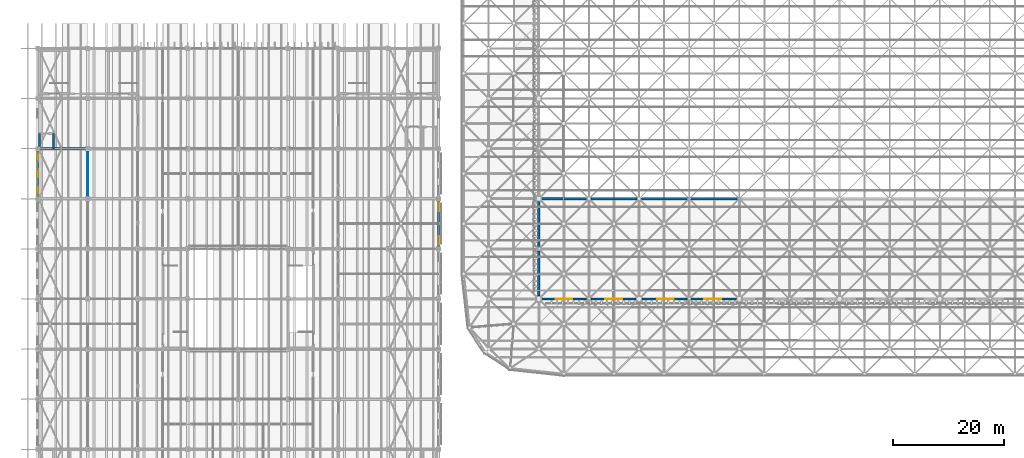
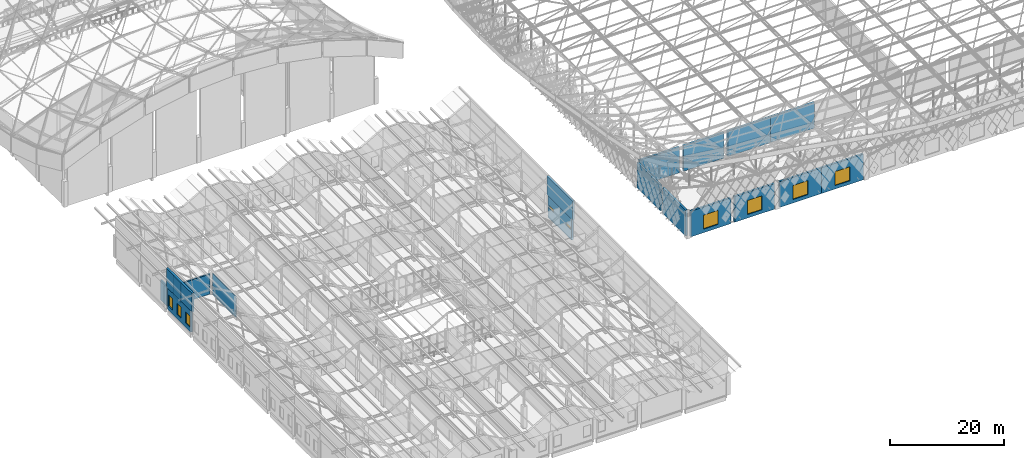
# One storey, part 267 of 437: 18 walls, 9 windows, 9 openings.
"""IFC4 building model written with IfcOpenShell, lengths in metres."""

from ifc_helpers import new_model, si_unit, direction, frame, frame_2d, origin, place, context, subcontext, project, spatial, rectangle, extrude, material, layer, layer_set, type_object, element, fill, save


model = new_model("IFC4")

# Units and contexts
model_context = context("Model", 3, precision=1e-05, world=origin(), true_north=direction((0.0, 1.0)))
body_context = subcontext(model_context, "Body", "Model", "MODEL_VIEW")
ifc_project = project(units=[si_unit("LENGTHUNIT", "METRE"), si_unit("AREAUNIT", "SQUARE_METRE"), si_unit("VOLUMEUNIT", "CUBIC_METRE"), si_unit("PLANEANGLEUNIT", "RADIAN"), si_unit("MASSUNIT", "GRAM", prefix="KILO")], contexts=[model_context])

# Site, building, storey
site_placement = place(None, origin())
site = spatial("IfcSite", under=ifc_project, at=site_placement, CompositionType="ELEMENT")
building_placement = place(site_placement, origin())
building = spatial("IfcBuilding", under=site, at=building_placement, Name="Opaline Strait Convention Centre", CompositionType="ELEMENT")
storey_placement = place(building_placement, frame((0.0, 0.0, 11.5)))
storey = spatial("IfcBuildingStorey", under=building, at=storey_placement, Name="L02", CompositionType="ELEMENT", Elevation=11.5)

# Wall, opening, window
ifc_material_1 = material(Name="Concrete C40", Category="concrete")
ifc_layer_1 = layer(ifc_material_1, 0.25)
ifc_material_2 = material(Name="Mineral wool insulation")
ifc_layer_2 = layer(ifc_material_2, 0.10009765625)
ifc_material_3 = material(Name="Gypsum board lining")
ifc_layer_3 = layer(ifc_material_3, 0.050048828125)
ifc_layer_set_1 = layer_set([ifc_layer_1, ifc_layer_2, ifc_layer_3], Name="Concrete C40, Mineral wool insulation, Gypsum board lining")
wall_type_1 = type_object("IfcWallType", Name="External wall RC 400 insulated", PredefinedType="SOLIDWALL", material=ifc_layer_set_1)
wall_1_placement = place(storey_placement, frame((99.5, 54.0, 0.0), z_axis=(0.0, 0.0, 1.0), x_axis=(1.0, 0.0, 0.0)))
wall_1 = element("IfcWall", 1, at=wall_1_placement, inside=storey, type_object=wall_type_1, Name="External wall S1", PredefinedType="SOLIDWALL", context=body_context, shape_type="SweptSolid", body=[
    extrude(rectangle(XDim=8.10009765625, YDim=0.39990234375, at=frame_2d((4.050048828125, 0.0))), origin(), (0.0, 0.0, 1.0), 5.5),
])
opening_1_placement = place(wall_1_placement, frame((2.550048828125, 0.0, 0.75)))
opening_1 = element("IfcOpeningElement", 2, at=opening_1_placement, cuts=wall_1, Name="Opening XWN3", PredefinedType="OPENING", context=body_context, shape_type="SweptSolid", body=[
    extrude(rectangle(XDim=3.0, YDim=3.0, at=frame_2d((1.5, 1.5))), frame((0.0, 0.2099609375, 0.0), z_axis=(0.0, -1.0, 0.0), x_axis=(1.0, 0.0, 0.0)), (0.0, 0.0, 1.0), 0.419921875),
])
ifc_material_4 = material(Name="Aluminium louvre", Category="aluminium")
window_type_1 = type_object("IfcWindowType", Name="Plant louvre 3000 x 3000", PartitioningType="TRIPLE_PANEL_VERTICAL", PredefinedType="WINDOW", material=ifc_material_4)
window_1_placement = place(opening_1_placement, origin())
window_1 = element("IfcWindow", 3, at=window_1_placement, inside=storey, type_object=window_type_1, Name="Plant louvre 1", OverallHeight=3.0, OverallWidth=3.0, PartitioningType="TRIPLE_PANEL_VERTICAL", PredefinedType="WINDOW", context=body_context, shape_type="SweptSolid", body=[
    extrude(rectangle(XDim=3.0, YDim=3.0, at=frame_2d((1.5, 1.5))), frame((0.0, 0.030029296875, 0.0), z_axis=(0.0, -1.0, 0.0), x_axis=(1.0, 0.0, 0.0)), (0.0, 0.0, 1.0), 0.06005859375),
])
fill(opening_1, window_1)

wall_2_placement = place(storey_placement, frame((108.39990234375, 54.0, 0.0), z_axis=(0.0, 0.0, 1.0), x_axis=(1.0, 0.0, 0.0)))
wall_2 = element("IfcWall", 4, at=wall_2_placement, inside=storey, type_object=wall_type_1, Name="External wall S2", PredefinedType="SOLIDWALL", context=body_context, shape_type="SweptSolid", body=[
    extrude(rectangle(XDim=8.10009765625, YDim=0.39990234375, at=frame_2d((4.050048828125, 0.0))), origin(), (0.0, 0.0, 1.0), 5.5),
])
opening_2_placement = place(wall_2_placement, frame((2.550048828125, 0.0, 0.75)))
opening_2 = element("IfcOpeningElement", 5, at=opening_2_placement, cuts=wall_2, Name="Opening XWN3", PredefinedType="OPENING", context=body_context, shape_type="SweptSolid", body=[
    extrude(rectangle(XDim=3.0, YDim=3.0, at=frame_2d((1.5, 1.5))), frame((0.0, 0.2099609375, 0.0), z_axis=(0.0, -1.0, 0.0), x_axis=(1.0, 0.0, 0.0)), (0.0, 0.0, 1.0), 0.419921875),
])
window_2_placement = place(opening_2_placement, origin())
window_2 = element("IfcWindow", 6, at=window_2_placement, inside=storey, type_object=window_type_1, Name="Plant louvre 2", OverallHeight=3.0, OverallWidth=3.0, PartitioningType="TRIPLE_PANEL_VERTICAL", PredefinedType="WINDOW", context=body_context, shape_type="SweptSolid", body=[
    extrude(rectangle(XDim=3.0, YDim=3.0, at=frame_2d((1.5, 1.5))), frame((0.0, 0.030029296875, 0.0), z_axis=(0.0, -1.0, 0.0), x_axis=(1.0, 0.0, 0.0)), (0.0, 0.0, 1.0), 0.06005859375),
])
fill(opening_2, window_2)

wall_3_placement = place(storey_placement, frame((117.5, 54.0, 0.0), z_axis=(0.0, 0.0, 1.0), x_axis=(1.0, 0.0, 0.0)))
wall_3 = element("IfcWall", 7, at=wall_3_placement, inside=storey, type_object=wall_type_1, Name="External wall S3", PredefinedType="SOLIDWALL", context=body_context, shape_type="SweptSolid", body=[
    extrude(rectangle(XDim=8.5, YDim=0.39990234375, at=frame_2d((4.25, 0.0))), origin(), (0.0, 0.0, 1.0), 5.5),
])
opening_3_placement = place(wall_3_placement, frame((2.75, 0.0, 0.75)))
opening_3 = element("IfcOpeningElement", 8, at=opening_3_placement, cuts=wall_3, Name="Opening XWN3", PredefinedType="OPENING", context=body_context, shape_type="SweptSolid", body=[
    extrude(rectangle(XDim=3.0, YDim=3.0, at=frame_2d((1.5, 1.5))), frame((0.0, 0.2099609375, 0.0), z_axis=(0.0, -1.0, 0.0), x_axis=(1.0, 0.0, 0.0)), (0.0, 0.0, 1.0), 0.419921875),
])
window_3_placement = place(opening_3_placement, origin())
window_3 = element("IfcWindow", 9, at=window_3_placement, inside=storey, type_object=window_type_1, Name="Plant louvre 3", OverallHeight=3.0, OverallWidth=3.0, PartitioningType="TRIPLE_PANEL_VERTICAL", PredefinedType="WINDOW", context=body_context, shape_type="SweptSolid", body=[
    extrude(rectangle(XDim=3.0, YDim=3.0, at=frame_2d((1.5, 1.5))), frame((0.0, 0.030029296875, 0.0), z_axis=(0.0, -1.0, 0.0), x_axis=(1.0, 0.0, 0.0)), (0.0, 0.0, 1.0), 0.06005859375),
])
fill(opening_3, window_3)

wall_4_placement = place(storey_placement, frame((126.0, 54.0, 0.0), z_axis=(0.0, 0.0, 1.0), x_axis=(1.0, 0.0, 0.0)))
wall_4 = element("IfcWall", 10, at=wall_4_placement, inside=storey, type_object=wall_type_1, Name="External wall S4", PredefinedType="SOLIDWALL", context=body_context, shape_type="SweptSolid", body=[
    extrude(rectangle(XDim=8.5, YDim=0.39990234375, at=frame_2d((4.25, 0.0))), origin(), (0.0, 0.0, 1.0), 5.5),
])
opening_4_placement = place(wall_4_placement, frame((2.75, 0.0, 0.75)))
opening_4 = element("IfcOpeningElement", 11, at=opening_4_placement, cuts=wall_4, Name="Opening XWN3", PredefinedType="OPENING", context=body_context, shape_type="SweptSolid", body=[
    extrude(rectangle(XDim=3.0, YDim=3.0, at=frame_2d((1.5, 1.5))), frame((0.0, 0.2099609375, 0.0), z_axis=(0.0, -1.0, 0.0), x_axis=(1.0, 0.0, 0.0)), (0.0, 0.0, 1.0), 0.419921875),
])
window_4_placement = place(opening_4_placement, origin())
window_4 = element("IfcWindow", 12, at=window_4_placement, inside=storey, type_object=window_type_1, Name="Plant louvre 4", OverallHeight=3.0, OverallWidth=3.0, PartitioningType="TRIPLE_PANEL_VERTICAL", PredefinedType="WINDOW", context=body_context, shape_type="SweptSolid", body=[
    extrude(rectangle(XDim=3.0, YDim=3.0, at=frame_2d((1.5, 1.5))), frame((0.0, 0.030029296875, 0.0), z_axis=(0.0, -1.0, 0.0), x_axis=(1.0, 0.0, 0.0)), (0.0, 0.0, 1.0), 0.06005859375),
])
fill(opening_4, window_4)

# Walls
wall_5_placement = place(storey_placement, frame((99.0, 54.5, 0.0), z_axis=(0.0, 0.0, 1.0), x_axis=(0.0, 1.0, 0.0)))
element("IfcWall", 13, at=wall_5_placement, inside=storey, type_object=wall_type_1, Name="External wall W1", PredefinedType="SOLIDWALL", context=body_context, shape_type="SweptSolid", body=[
    extrude(rectangle(XDim=8.10009765625, YDim=0.39990234375, at=frame_2d((4.050048828125, 0.0))), origin(), (0.0, 0.0, 1.0), 5.5),
])
ifc_layer_4 = layer(ifc_material_1, 0.300048828125)
ifc_layer_5 = layer(ifc_material_2, 0.050048828125)
ifc_layer_6 = layer(ifc_material_3, 0.050048828125)
ifc_layer_set_2 = layer_set([ifc_layer_4, ifc_layer_5, ifc_layer_6], Name="Concrete C40, Mineral wool insulation, Gypsum board lining")
wall_type_2 = type_object("IfcWallType", Name="External wall RC 400 stair core", PredefinedType="SOLIDWALL", material=ifc_layer_set_2)
wall_6_placement = place(storey_placement, frame((99.0, 63.39990234375, 0.0), z_axis=(0.0, 0.0, 1.0), x_axis=(0.0, 1.0, 0.0)))
element("IfcWall", 14, at=wall_6_placement, inside=storey, type_object=wall_type_2, Name="External wall W2", PredefinedType="SOLIDWALL", context=body_context, shape_type="SweptSolid", body=[
    extrude(rectangle(XDim=8.10009765625, YDim=0.39990234375, at=frame_2d((4.050048828125, 0.0))), origin(), (0.0, 0.0, 1.0), 5.5),
])
ifc_layer_7 = layer(ifc_material_1, 0.300048828125)
ifc_material_5 = material(Name="Cement plaster")
ifc_layer_8 = layer(ifc_material_5, 0.050048828125)
ifc_layer_9 = layer(ifc_material_5, 0.050048828125)
ifc_layer_set_3 = layer_set([ifc_layer_7, ifc_layer_8, ifc_layer_9], Name="Concrete C40, Cement plaster, Cement plaster")
wall_type_3 = type_object("IfcWallType", Name="Hall compartment wall 400", PredefinedType="SOLIDWALL", material=ifc_layer_set_3)
wall_7_placement = place(storey_placement, frame((99.5, 72.0, 0.0), z_axis=(0.0, 0.0, 1.0), x_axis=(1.0, 0.0, 0.0)))
element("IfcWall", 15, at=wall_7_placement, inside=storey, type_object=wall_type_3, Name="Hall south wall", PredefinedType="SOLIDWALL", context=body_context, shape_type="SweptSolid", body=[
    extrude(rectangle(XDim=8.10009765625, YDim=0.39990234375, at=frame_2d((4.050048828125, 0.0))), origin(), (0.0, 0.0, 1.0), 5.5),
])
wall_8_placement = place(storey_placement, frame((108.39990234375, 72.0, 0.0), z_axis=(0.0, 0.0, 1.0), x_axis=(1.0, 0.0, 0.0)))
element("IfcWall", 16, at=wall_8_placement, inside=storey, type_object=wall_type_3, Name="Hall south wall", PredefinedType="SOLIDWALL", context=body_context, shape_type="SweptSolid", body=[
    extrude(rectangle(XDim=8.2001953125, YDim=0.39990234375, at=frame_2d((4.10009765625, 0.0))), origin(), (0.0, 0.0, 1.0), 5.5),
])
wall_9_placement = place(storey_placement, frame((117.39990234375, 72.0, 0.0), z_axis=(0.0, 0.0, 1.0), x_axis=(1.0, 0.0, 0.0)))
element("IfcWall", 17, at=wall_9_placement, inside=storey, type_object=wall_type_3, Name="Hall south wall", PredefinedType="SOLIDWALL", context=body_context, shape_type="SweptSolid", body=[
    extrude(rectangle(XDim=8.60009765625, YDim=0.39990234375, at=frame_2d((4.300048828125, 0.0))), origin(), (0.0, 0.0, 1.0), 5.5),
])
wall_10_placement = place(storey_placement, frame((126.0, 72.0, 0.0), z_axis=(0.0, 0.0, 1.0), x_axis=(1.0, 0.0, 0.0)))
element("IfcWall", 18, at=wall_10_placement, inside=storey, type_object=wall_type_3, Name="Hall south wall", PredefinedType="SOLIDWALL", context=body_context, shape_type="SweptSolid", body=[
    extrude(rectangle(XDim=9.0, YDim=0.39990234375, at=frame_2d((4.5, 0.0))), origin(), (0.0, 0.0, 1.0), 5.5),
])
ifc_material_6 = material(Name="Gypsum board on metal studs with mineral wool")
ifc_layer_10 = layer(ifc_material_6, 0.14990234375)
ifc_layer_set_4 = layer_set([ifc_layer_10], Name="Gypsum board on metal studs with mineral wool")
wall_type_4 = type_object("IfcWallType", Name="Partition 150", PredefinedType="PARTITIONING", material=ifc_layer_set_4)
wall_11_placement = place(storey_placement, frame((18.0, 72.39990234375, 0.0), z_axis=(0.0, 0.0, 1.0), x_axis=(0.0, 1.0, 0.0)))
element("IfcWall", 19, at=wall_11_placement, inside=storey, type_object=wall_type_4, Name="L02 partition", PredefinedType="PARTITIONING", context=body_context, shape_type="SweptSolid", body=[
    extrude(rectangle(XDim=8.2001953125, YDim=0.14990234375, at=frame_2d((4.10009765625, 0.0))), origin(), (0.0, 0.0, 1.0), 4.550048828125),
])
ifc_layer_11 = layer(ifc_material_1, 0.300048828125)
ifc_layer_set_5 = layer_set([ifc_layer_11], Name="Concrete C40")
wall_type_5 = type_object("IfcWallType", Name="RC wall 300 C40", PredefinedType="SOLIDWALL", material=ifc_layer_set_5)
wall_12_placement = place(storey_placement, frame((9.39990234375, 81.0, 0.0), z_axis=(0.0, 0.0, 1.0), x_axis=(1.0, 0.0, 0.0)))
element("IfcWall", 20, at=wall_12_placement, inside=storey, type_object=wall_type_5, Name="NW core BND-N wall", PredefinedType="SOLIDWALL", context=body_context, shape_type="SweptSolid", body=[
    extrude(rectangle(XDim=8.2001953125, YDim=0.300048828125, at=frame_2d((4.10009765625, 0.0))), origin(), (0.0, 0.0, 1.0), 4.300048828125),
])
wall_13_placement = place(storey_placement, frame((11.85009765625, 83.699951171875, 0.0), z_axis=(0.0, 0.0, 1.0), x_axis=(0.0, -1.0, 0.0)))
element("IfcWall", 21, at=wall_13_placement, inside=storey, type_object=wall_type_5, Name="NW core LIFT-M wall", PredefinedType="SOLIDWALL", context=body_context, shape_type="SweptSolid", body=[
    extrude(rectangle(XDim=2.699951171875, YDim=0.300048828125, at=frame_2d((1.35009765625, 0.0))), origin(), (0.0, 0.0, 1.0), 4.300048828125),
])
wall_14_placement = place(storey_placement, frame((9.35009765625, 83.699951171875, 0.0), z_axis=(0.0, 0.0, 1.0), x_axis=(0.0, -1.0, 0.0)))
element("IfcWall", 22, at=wall_14_placement, inside=storey, type_object=wall_type_5, Name="NW core LIFT-W wall", PredefinedType="SOLIDWALL", context=body_context, shape_type="SweptSolid", body=[
    extrude(rectangle(XDim=2.300048828125, YDim=0.300048828125, at=frame_2d((1.14990234375, 0.0))), origin(), (0.0, 0.0, 1.0), 4.300048828125),
])
ifc_layer_12 = layer(ifc_material_1, 0.320068359375)
ifc_layer_13 = layer(ifc_material_2, 0.050048828125)
ifc_layer_14 = layer(ifc_material_3, 0.030029296875)
ifc_layer_set_6 = layer_set([ifc_layer_12, ifc_layer_13, ifc_layer_14], Name="Concrete C40, Mineral wool insulation, Gypsum board lining")
wall_type_6 = type_object("IfcWallType", Name="RC wall 400 C40", PredefinedType="SOLIDWALL", material=ifc_layer_set_6)
wall_15_placement = place(storey_placement, frame((9.0, 72.0, 4.550048828125), z_axis=(0.0, 0.0, 1.0), x_axis=(0.0, 1.0, 0.0)))
element("IfcWall", 23, at=wall_15_placement, inside=storey, type_object=wall_type_6, Name="W roof infill wall 8", PredefinedType="SOLIDWALL", context=body_context, shape_type="SweptSolid", body=[
    extrude(rectangle(XDim=9.0, YDim=0.39990234375, at=frame_2d((4.5, 0.0))), origin(), (0.0, 0.0, 1.0), 4.050048828125),
])
wall_16_placement = place(storey_placement, frame((81.0, 63.0, 4.550048828125), z_axis=(0.0, 0.0, 1.0), x_axis=(0.0, 1.0, 0.0)))
element("IfcWall", 24, at=wall_16_placement, inside=storey, type_object=wall_type_6, Name="E roof infill wall 7", PredefinedType="SOLIDWALL", context=body_context, shape_type="SweptSolid", body=[
    extrude(rectangle(XDim=9.0, YDim=0.39990234375, at=frame_2d((4.5, 0.0))), origin(), (0.0, 0.0, 1.0), 4.0283203125),
])

# Wall, openings, windows
wall_17_placement = place(storey_placement, frame((9.0, 72.39990234375, 0.0), z_axis=(0.0, 0.0, 1.0), x_axis=(0.0, 1.0, 0.0)))
wall_17 = element("IfcWall", 25, at=wall_17_placement, inside=storey, type_object=wall_type_6, Name="L02 W external wall 8", PredefinedType="SOLIDWALL", context=body_context, shape_type="SweptSolid", body=[
    extrude(rectangle(XDim=8.2001953125, YDim=0.39990234375, at=frame_2d((4.10009765625, 0.0))), origin(), (0.0, 0.0, 1.0), 4.550048828125),
])
opening_5_placement = place(wall_17_placement, frame((0.35009765625, 0.0, 0.89990234375)))
opening_5 = element("IfcOpeningElement", 26, at=opening_5_placement, cuts=wall_17, Name="Opening RWN2", PredefinedType="OPENING", context=body_context, shape_type="SweptSolid", body=[
    extrude(rectangle(XDim=1.5, YDim=2.39990234375, at=frame_2d((0.75, 1.199951171875))), frame((0.0, 0.2099609375, 0.0), z_axis=(0.0, -1.0, 0.0), x_axis=(1.0, 0.0, 0.0)), (0.0, 0.0, 1.0), 0.419921875),
])
opening_6_placement = place(wall_17_placement, frame((3.35009765625, 0.0, 0.89990234375)))
opening_6 = element("IfcOpeningElement", 27, at=opening_6_placement, cuts=wall_17, Name="Opening RWN2", PredefinedType="OPENING", context=body_context, shape_type="SweptSolid", body=[
    extrude(rectangle(XDim=1.5, YDim=2.39990234375, at=frame_2d((0.75, 1.199951171875))), frame((0.0, 0.2099609375, 0.0), z_axis=(0.0, -1.0, 0.0), x_axis=(1.0, 0.0, 0.0)), (0.0, 0.0, 1.0), 0.419921875),
])
opening_7_placement = place(wall_17_placement, frame((6.35009765625, 0.0, 0.89990234375)))
opening_7 = element("IfcOpeningElement", 28, at=opening_7_placement, cuts=wall_17, Name="Opening RWN2", PredefinedType="OPENING", context=body_context, shape_type="SweptSolid", body=[
    extrude(rectangle(XDim=1.5, YDim=2.39990234375, at=frame_2d((0.75, 1.199951171875))), frame((0.0, 0.2099609375, 0.0), z_axis=(0.0, -1.0, 0.0), x_axis=(1.0, 0.0, 0.0)), (0.0, 0.0, 1.0), 0.419921875),
])
ifc_material_7 = material(Name="Aluminium framed double glazing", Category="aluminium")
window_type_2 = type_object("IfcWindowType", Name="Window 1500x2400 sill 900", PartitioningType="SINGLE_PANEL", PredefinedType="WINDOW", material=ifc_material_7)
window_5_placement = place(opening_5_placement, origin())
window_5 = element("IfcWindow", 29, at=window_5_placement, inside=storey, type_object=window_type_2, Name="Window L02-W8-W1", OverallHeight=2.39990234375, OverallWidth=1.5, PartitioningType="SINGLE_PANEL", PredefinedType="WINDOW", context=body_context, shape_type="SweptSolid", body=[
    extrude(rectangle(XDim=1.5, YDim=2.39990234375, at=frame_2d((0.75, 1.199951171875))), frame((0.0, 0.030029296875, 0.0), z_axis=(0.0, -1.0, 0.0), x_axis=(1.0, 0.0, 0.0)), (0.0, 0.0, 1.0), 0.06005859375),
])
fill(opening_5, window_5)
window_6_placement = place(opening_6_placement, origin())
window_6 = element("IfcWindow", 30, at=window_6_placement, inside=storey, type_object=window_type_2, Name="Window L02-W8-W2", OverallHeight=2.39990234375, OverallWidth=1.5, PartitioningType="SINGLE_PANEL", PredefinedType="WINDOW", context=body_context, shape_type="SweptSolid", body=[
    extrude(rectangle(XDim=1.5, YDim=2.39990234375, at=frame_2d((0.75, 1.199951171875))), frame((0.0, 0.030029296875, 0.0), z_axis=(0.0, -1.0, 0.0), x_axis=(1.0, 0.0, 0.0)), (0.0, 0.0, 1.0), 0.06005859375),
])
fill(opening_6, window_6)
window_7_placement = place(opening_7_placement, origin())
window_7 = element("IfcWindow", 31, at=window_7_placement, inside=storey, type_object=window_type_2, Name="Window L02-W8-W3", OverallHeight=2.39990234375, OverallWidth=1.5, PartitioningType="SINGLE_PANEL", PredefinedType="WINDOW", context=body_context, shape_type="SweptSolid", body=[
    extrude(rectangle(XDim=1.5, YDim=2.39990234375, at=frame_2d((0.75, 1.199951171875))), frame((0.0, 0.030029296875, 0.0), z_axis=(0.0, -1.0, 0.0), x_axis=(1.0, 0.0, 0.0)), (0.0, 0.0, 1.0), 0.06005859375),
])
fill(opening_7, window_7)

wall_18_placement = place(storey_placement, frame((81.0, 63.39990234375, 0.0), z_axis=(0.0, 0.0, 1.0), x_axis=(0.0, 1.0, 0.0)))
wall_18 = element("IfcWall", 32, at=wall_18_placement, inside=storey, type_object=wall_type_6, Name="L02 E external wall 7", PredefinedType="SOLIDWALL", context=body_context, shape_type="SweptSolid", body=[
    extrude(rectangle(XDim=8.2001953125, YDim=0.39990234375, at=frame_2d((4.10009765625, 0.0))), origin(), (0.0, 0.0, 1.0), 4.550048828125),
])
opening_8_placement = place(wall_18_placement, frame((0.35009765625, 0.0, 2.10009765625)))
opening_8 = element("IfcOpeningElement", 33, at=opening_8_placement, cuts=wall_18, Name="Opening RWN5", PredefinedType="OPENING", context=body_context, shape_type="SweptSolid", body=[
    extrude(rectangle(XDim=1.5, YDim=0.60009765625, at=frame_2d((0.75, 0.300048828125))), frame((0.0, 0.2099609375, 0.0), z_axis=(0.0, -1.0, 0.0), x_axis=(1.0, 0.0, 0.0)), (0.0, 0.0, 1.0), 0.419921875),
])
opening_9_placement = place(wall_18_placement, frame((6.35009765625, 0.0, 2.10009765625)))
opening_9 = element("IfcOpeningElement", 34, at=opening_9_placement, cuts=wall_18, Name="Opening RWN5", PredefinedType="OPENING", context=body_context, shape_type="SweptSolid", body=[
    extrude(rectangle(XDim=1.5, YDim=0.60009765625, at=frame_2d((0.75, 0.300048828125))), frame((0.0, 0.2099609375, 0.0), z_axis=(0.0, -1.0, 0.0), x_axis=(1.0, 0.0, 0.0)), (0.0, 0.0, 1.0), 0.419921875),
])
window_type_3 = type_object("IfcWindowType", Name="Window 1500x600 sill 2100", PartitioningType="SINGLE_PANEL", PredefinedType="WINDOW", material=ifc_material_7)
window_8_placement = place(opening_8_placement, origin())
window_8 = element("IfcWindow", 35, at=window_8_placement, inside=storey, type_object=window_type_3, Name="Window L02-E7-W1", OverallHeight=0.60009765625, OverallWidth=1.5, PartitioningType="SINGLE_PANEL", PredefinedType="WINDOW", context=body_context, shape_type="SweptSolid", body=[
    extrude(rectangle(XDim=1.5, YDim=0.60009765625, at=frame_2d((0.75, 0.300048828125))), frame((0.0, 0.030029296875, 0.0), z_axis=(0.0, -1.0, 0.0), x_axis=(1.0, 0.0, 0.0)), (0.0, 0.0, 1.0), 0.06005859375),
])
fill(opening_8, window_8)
window_9_placement = place(opening_9_placement, origin())
window_9 = element("IfcWindow", 36, at=window_9_placement, inside=storey, type_object=window_type_3, Name="Window L02-E7-W3", OverallHeight=0.60009765625, OverallWidth=1.5, PartitioningType="SINGLE_PANEL", PredefinedType="WINDOW", context=body_context, shape_type="SweptSolid", body=[
    extrude(rectangle(XDim=1.5, YDim=0.60009765625, at=frame_2d((0.75, 0.300048828125))), frame((0.0, 0.030029296875, 0.0), z_axis=(0.0, -1.0, 0.0), x_axis=(1.0, 0.0, 0.0)), (0.0, 0.0, 1.0), 0.06005859375),
])
fill(opening_9, window_9)

save(model, "model.ifc")
